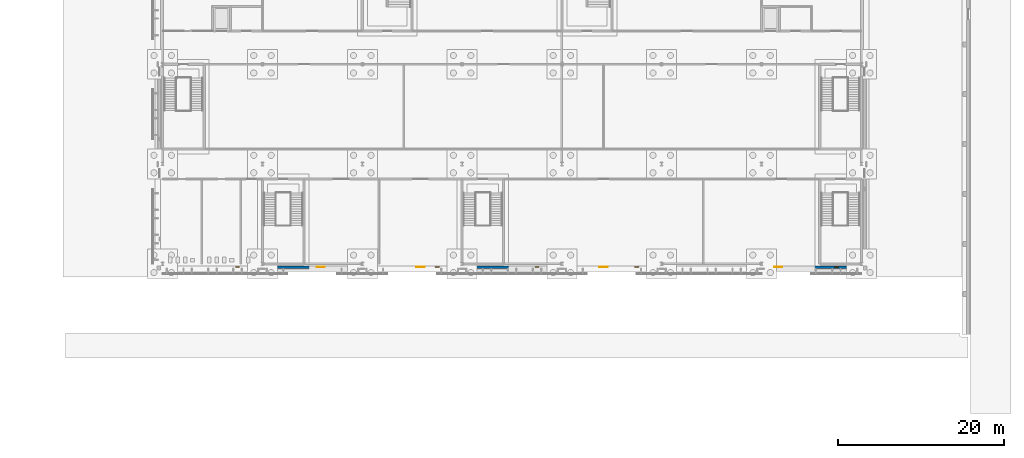
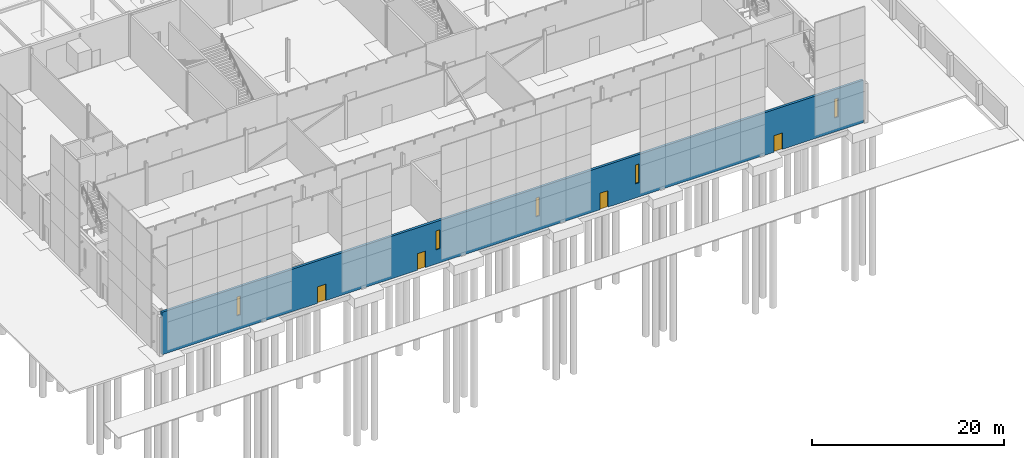
# One storey, part 64 of 132: 5 windows, 4 doors, 1 wall, 9 openings.
"""IFC4 building model written with IfcOpenShell, lengths in metres."""

from ifc_helpers import new_model, si_unit, direction, frame, frame_2d, origin, place, context, subcontext, project, spatial, rectangle, extrude, material, layer, layer_set, type_object, element, fill, save


model = new_model("IFC4")

# Units and contexts
model_context = context("Model", 3, precision=1e-05, world=origin(), true_north=direction((0.0, 1.0)))
body_context = subcontext(model_context, "Body", "Model", "MODEL_VIEW")
ifc_project = project(units=[si_unit("LENGTHUNIT", "METRE"), si_unit("AREAUNIT", "SQUARE_METRE"), si_unit("VOLUMEUNIT", "CUBIC_METRE"), si_unit("PLANEANGLEUNIT", "RADIAN"), si_unit("MASSUNIT", "GRAM", prefix="KILO")], contexts=[model_context])

# Site, building, storey
site_placement = place(None, origin())
site = spatial("IfcSite", under=ifc_project, at=site_placement, CompositionType="ELEMENT")
building_placement = place(site_placement, origin())
building = spatial("IfcBuilding", under=site, at=building_placement, Name="Ravi Spectrum Wholesale Market", CompositionType="ELEMENT")
storey_placement = place(building_placement, origin())
storey = spatial("IfcBuildingStorey", under=building, at=storey_placement, Name="L00", CompositionType="ELEMENT", Elevation=0.0)

# Wall, openings, doors, windows
ifc_material_1 = material(Name="Brick-faced insulated panel", Category="masonry")
ifc_layer = layer(ifc_material_1, 0.300048828125)
ifc_layer_set = layer_set([ifc_layer], Name="Brick-faced insulated panel")
wall_type = type_object("IfcWallType", Name="Brick faced insulated panel 300", PredefinedType="SOLIDWALL", material=ifc_layer_set)
wall_placement = place(storey_placement, frame((197.75, 17.60009765625, 0.0), z_axis=(0.0, 0.0, 1.0), x_axis=(1.0, 0.0, 0.0)))
wall = element("IfcWall", 1, at=wall_placement, inside=storey, type_object=wall_type, Name="CS-WL-L00-035", PredefinedType="SOLIDWALL", context=body_context, shape_type="SweptSolid", body=[
    extrude(rectangle(XDim=84.5, YDim=0.300048828125, at=frame_2d((42.25, 0.0))), origin(), (0.0, 0.0, 1.0), 5.39990234375),
])
opening_1_placement = place(wall_placement, frame((19.75, 0.0, 0.0), z_axis=(0.0, 0.0, 1.0), x_axis=(-1.0, 0.0, 0.0)))
opening_1 = element("IfcOpeningElement", 2, at=opening_1_placement, cuts=wall, Name="Opening D474", PredefinedType="OPENING", context=body_context, shape_type="SweptSolid", body=[
    extrude(rectangle(XDim=1.0, YDim=2.10009765625, at=frame_2d((0.5, 1.050048828125))), frame((0.0, 0.159912109375, 0.0), z_axis=(0.0, -1.0, 0.0), x_axis=(1.0, 0.0, 0.0)), (0.0, 0.0, 1.0), 0.320068359375),
])
opening_2_placement = place(wall_placement, frame((31.75, 0.0, 0.0), z_axis=(0.0, 0.0, 1.0), x_axis=(-1.0, 0.0, 0.0)))
opening_2 = element("IfcOpeningElement", 3, at=opening_2_placement, cuts=wall, Name="Opening D475", PredefinedType="OPENING", context=body_context, shape_type="SweptSolid", body=[
    extrude(rectangle(XDim=1.0, YDim=2.10009765625, at=frame_2d((0.5, 1.050048828125))), frame((0.0, 0.159912109375, 0.0), z_axis=(0.0, -1.0, 0.0), x_axis=(1.0, 0.0, 0.0)), (0.0, 0.0, 1.0), 0.320068359375),
])
opening_3_placement = place(wall_placement, frame((53.75, 0.0, 0.0), z_axis=(0.0, 0.0, 1.0), x_axis=(-1.0, 0.0, 0.0)))
opening_3 = element("IfcOpeningElement", 4, at=opening_3_placement, cuts=wall, Name="Opening D491", PredefinedType="OPENING", context=body_context, shape_type="SweptSolid", body=[
    extrude(rectangle(XDim=1.0, YDim=2.10009765625, at=frame_2d((0.5, 1.050048828125))), frame((0.0, 0.159912109375, 0.0), z_axis=(0.0, -1.0, 0.0), x_axis=(1.0, 0.0, 0.0)), (0.0, 0.0, 1.0), 0.320068359375),
])
opening_4_placement = place(wall_placement, frame((74.75, 0.0, 0.0), z_axis=(0.0, 0.0, 1.0), x_axis=(-1.0, 0.0, 0.0)))
opening_4 = element("IfcOpeningElement", 5, at=opening_4_placement, cuts=wall, Name="Opening D492", PredefinedType="OPENING", context=body_context, shape_type="SweptSolid", body=[
    extrude(rectangle(XDim=1.0, YDim=2.10009765625, at=frame_2d((0.5, 1.050048828125))), frame((0.0, 0.159912109375, 0.0), z_axis=(0.0, -1.0, 0.0), x_axis=(1.0, 0.0, 0.0)), (0.0, 0.0, 1.0), 0.320068359375),
])
opening_5_placement = place(wall_placement, frame((9.02490234375, 0.0, 1.800048828125)))
opening_5 = element("IfcOpeningElement", 6, at=opening_5_placement, cuts=wall, Name="Opening W2600", PredefinedType="OPENING", context=body_context, shape_type="SweptSolid", body=[
    extrude(rectangle(XDim=0.449951171875, YDim=2.39990234375, at=frame_2d((0.22509765625, 1.199951171875))), frame((0.0, 0.159912109375, 0.0), z_axis=(0.0, -1.0, 0.0), x_axis=(1.0, 0.0, 0.0)), (0.0, 0.0, 1.0), 0.320068359375),
])
opening_6_placement = place(wall_placement, frame((33.02490234375, 0.0, 1.800048828125)))
opening_6 = element("IfcOpeningElement", 7, at=opening_6_placement, cuts=wall, Name="Opening W2602", PredefinedType="OPENING", context=body_context, shape_type="SweptSolid", body=[
    extrude(rectangle(XDim=0.449951171875, YDim=2.39990234375, at=frame_2d((0.22509765625, 1.199951171875))), frame((0.0, 0.159912109375, 0.0), z_axis=(0.0, -1.0, 0.0), x_axis=(1.0, 0.0, 0.0)), (0.0, 0.0, 1.0), 0.320068359375),
])
opening_7_placement = place(wall_placement, frame((45.02490234375, 0.0, 1.800048828125)))
opening_7 = element("IfcOpeningElement", 8, at=opening_7_placement, cuts=wall, Name="Opening W2603", PredefinedType="OPENING", context=body_context, shape_type="SweptSolid", body=[
    extrude(rectangle(XDim=0.449951171875, YDim=2.39990234375, at=frame_2d((0.22509765625, 1.199951171875))), frame((0.0, 0.159912109375, 0.0), z_axis=(0.0, -1.0, 0.0), x_axis=(1.0, 0.0, 0.0)), (0.0, 0.0, 1.0), 0.320068359375),
])
opening_8_placement = place(wall_placement, frame((57.02490234375, 0.0, 1.800048828125)))
opening_8 = element("IfcOpeningElement", 9, at=opening_8_placement, cuts=wall, Name="Opening W2604", PredefinedType="OPENING", context=body_context, shape_type="SweptSolid", body=[
    extrude(rectangle(XDim=0.449951171875, YDim=2.39990234375, at=frame_2d((0.22509765625, 1.199951171875))), frame((0.0, 0.159912109375, 0.0), z_axis=(0.0, -1.0, 0.0), x_axis=(1.0, 0.0, 0.0)), (0.0, 0.0, 1.0), 0.320068359375),
])
opening_9_placement = place(wall_placement, frame((81.02490234375, 0.0, 1.800048828125)))
opening_9 = element("IfcOpeningElement", 10, at=opening_9_placement, cuts=wall, Name="Opening W2606", PredefinedType="OPENING", context=body_context, shape_type="SweptSolid", body=[
    extrude(rectangle(XDim=0.449951171875, YDim=2.39990234375, at=frame_2d((0.22509765625, 1.199951171875))), frame((0.0, 0.159912109375, 0.0), z_axis=(0.0, -1.0, 0.0), x_axis=(1.0, 0.0, 0.0)), (0.0, 0.0, 1.0), 0.320068359375),
])
ifc_material_2 = material(Name="Steel door", Category="steel")
door_type = type_object("IfcDoorType", Name="Pedestrian exit door 1000 x 2100", OperationType="SINGLE_SWING_LEFT", PredefinedType="DOOR", material=ifc_material_2)
door_1_placement = place(opening_1_placement, origin())
door_1 = element("IfcDoor", 11, at=door_1_placement, inside=storey, type_object=door_type, Name="Door D474", OperationType="SINGLE_SWING_RIGHT", OverallHeight=2.10009765625, OverallWidth=1.0, PredefinedType="DOOR", context=body_context, shape_type="SweptSolid", body=[
    extrude(rectangle(XDim=1.0, YDim=2.10009765625, at=frame_2d((0.5, 1.050048828125))), frame((0.0, 0.02490234375, 0.0), z_axis=(0.0, -1.0, 0.0), x_axis=(1.0, 0.0, 0.0)), (0.0, 0.0, 1.0), 0.050048828125),
])
fill(opening_1, door_1)
door_2_placement = place(opening_2_placement, origin())
door_2 = element("IfcDoor", 12, at=door_2_placement, inside=storey, type_object=door_type, Name="Door D475", OperationType="SINGLE_SWING_LEFT", OverallHeight=2.10009765625, OverallWidth=1.0, PredefinedType="DOOR", context=body_context, shape_type="SweptSolid", body=[
    extrude(rectangle(XDim=1.0, YDim=2.10009765625, at=frame_2d((0.5, 1.050048828125))), frame((0.0, 0.02490234375, 0.0), z_axis=(0.0, -1.0, 0.0), x_axis=(1.0, 0.0, 0.0)), (0.0, 0.0, 1.0), 0.050048828125),
])
fill(opening_2, door_2)
door_3_placement = place(opening_3_placement, origin())
door_3 = element("IfcDoor", 13, at=door_3_placement, inside=storey, type_object=door_type, Name="Door D491", OperationType="SINGLE_SWING_LEFT", OverallHeight=2.10009765625, OverallWidth=1.0, PredefinedType="DOOR", context=body_context, shape_type="SweptSolid", body=[
    extrude(rectangle(XDim=1.0, YDim=2.10009765625, at=frame_2d((0.5, 1.050048828125))), frame((0.0, 0.02490234375, 0.0), z_axis=(0.0, -1.0, 0.0), x_axis=(1.0, 0.0, 0.0)), (0.0, 0.0, 1.0), 0.050048828125),
])
fill(opening_3, door_3)
door_4_placement = place(opening_4_placement, origin())
door_4 = element("IfcDoor", 14, at=door_4_placement, inside=storey, type_object=door_type, Name="Door D492", OperationType="SINGLE_SWING_LEFT", OverallHeight=2.10009765625, OverallWidth=1.0, PredefinedType="DOOR", context=body_context, shape_type="SweptSolid", body=[
    extrude(rectangle(XDim=1.0, YDim=2.10009765625, at=frame_2d((0.5, 1.050048828125))), frame((0.0, 0.02490234375, 0.0), z_axis=(0.0, -1.0, 0.0), x_axis=(1.0, 0.0, 0.0)), (0.0, 0.0, 1.0), 0.050048828125),
])
fill(opening_4, door_4)
ifc_material_3 = material(Name="Steel window frame", Category="steel")
window_type = type_object("IfcWindowType", Name="Slot window 450 x 2400", PartitioningType="SINGLE_PANEL", PredefinedType="WINDOW", material=ifc_material_3)
window_1_placement = place(opening_5_placement, origin())
window_1 = element("IfcWindow", 15, at=window_1_placement, inside=storey, type_object=window_type, Name="Window W2600", OverallHeight=2.39990234375, OverallWidth=0.449951171875, PartitioningType="SINGLE_PANEL", PredefinedType="WINDOW", context=body_context, shape_type="SweptSolid", body=[
    extrude(rectangle(XDim=0.449951171875, YDim=2.39990234375, at=frame_2d((0.22509765625, 1.199951171875))), frame((0.0, 0.030029296875, 0.0), z_axis=(0.0, -1.0, 0.0), x_axis=(1.0, 0.0, 0.0)), (0.0, 0.0, 1.0), 0.06005859375),
])
fill(opening_5, window_1)
window_2_placement = place(opening_6_placement, origin())
window_2 = element("IfcWindow", 16, at=window_2_placement, inside=storey, type_object=window_type, Name="Window W2602", OverallHeight=2.39990234375, OverallWidth=0.449951171875, PartitioningType="SINGLE_PANEL", PredefinedType="WINDOW", context=body_context, shape_type="SweptSolid", body=[
    extrude(rectangle(XDim=0.449951171875, YDim=2.39990234375, at=frame_2d((0.22509765625, 1.199951171875))), frame((0.0, 0.030029296875, 0.0), z_axis=(0.0, -1.0, 0.0), x_axis=(1.0, 0.0, 0.0)), (0.0, 0.0, 1.0), 0.06005859375),
])
fill(opening_6, window_2)
window_3_placement = place(opening_7_placement, origin())
window_3 = element("IfcWindow", 17, at=window_3_placement, inside=storey, type_object=window_type, Name="Window W2603", OverallHeight=2.39990234375, OverallWidth=0.449951171875, PartitioningType="SINGLE_PANEL", PredefinedType="WINDOW", context=body_context, shape_type="SweptSolid", body=[
    extrude(rectangle(XDim=0.449951171875, YDim=2.39990234375, at=frame_2d((0.22509765625, 1.199951171875))), frame((0.0, 0.030029296875, 0.0), z_axis=(0.0, -1.0, 0.0), x_axis=(1.0, 0.0, 0.0)), (0.0, 0.0, 1.0), 0.06005859375),
])
fill(opening_7, window_3)
window_4_placement = place(opening_8_placement, origin())
window_4 = element("IfcWindow", 18, at=window_4_placement, inside=storey, type_object=window_type, Name="Window W2604", OverallHeight=2.39990234375, OverallWidth=0.449951171875, PartitioningType="SINGLE_PANEL", PredefinedType="WINDOW", context=body_context, shape_type="SweptSolid", body=[
    extrude(rectangle(XDim=0.449951171875, YDim=2.39990234375, at=frame_2d((0.22509765625, 1.199951171875))), frame((0.0, 0.030029296875, 0.0), z_axis=(0.0, -1.0, 0.0), x_axis=(1.0, 0.0, 0.0)), (0.0, 0.0, 1.0), 0.06005859375),
])
fill(opening_8, window_4)
window_5_placement = place(opening_9_placement, origin())
window_5 = element("IfcWindow", 19, at=window_5_placement, inside=storey, type_object=window_type, Name="Window W2606", OverallHeight=2.39990234375, OverallWidth=0.449951171875, PartitioningType="SINGLE_PANEL", PredefinedType="WINDOW", context=body_context, shape_type="SweptSolid", body=[
    extrude(rectangle(XDim=0.449951171875, YDim=2.39990234375, at=frame_2d((0.22509765625, 1.199951171875))), frame((0.0, 0.030029296875, 0.0), z_axis=(0.0, -1.0, 0.0), x_axis=(1.0, 0.0, 0.0)), (0.0, 0.0, 1.0), 0.06005859375),
])
fill(opening_9, window_5)

save(model, "model.ifc")
